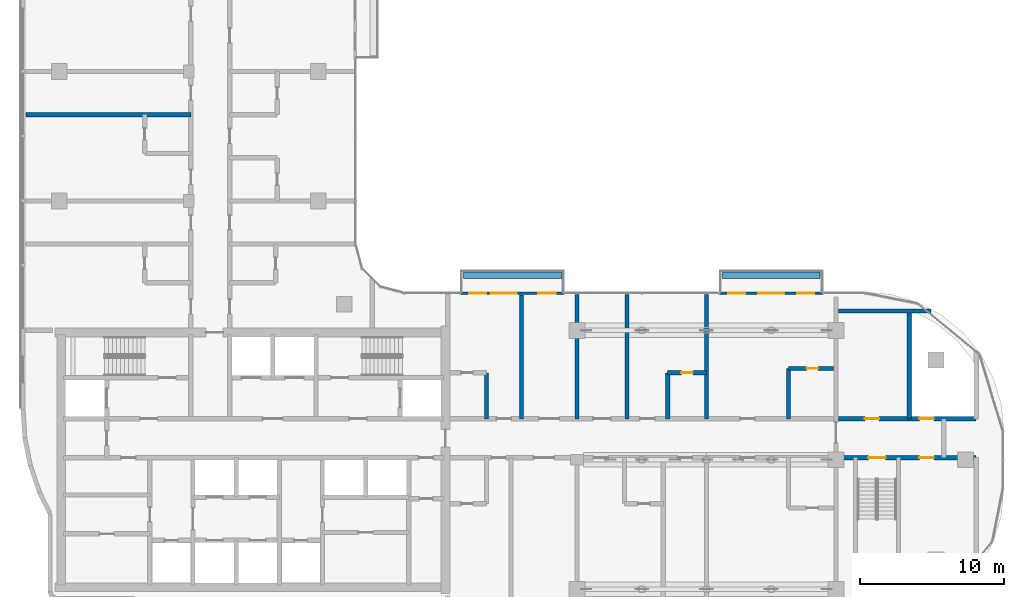
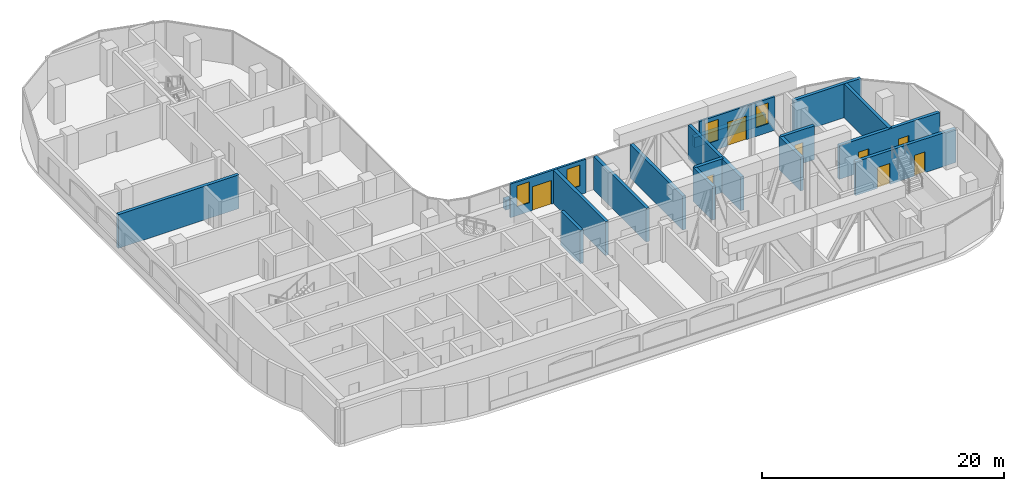
# One storey, part 12 of 25: 18 walls, 8 doors, 4 windows, 12 openings.
"""IFC4 building model written with IfcOpenShell, lengths in metres."""

from ifc_helpers import new_model, si_unit, direction, frame, frame_2d, origin, origin_2d, place, context, subcontext, project, spatial, rectangle, extrude, material, layer, layer_set, type_object, element, fill, save


model = new_model("IFC4")

# Units and contexts
model_context = context("Model", 3, precision=1e-05, world=origin(), true_north=direction((0.0, 1.0)))
body_context = subcontext(model_context, "Body", "Model", "MODEL_VIEW")
ifc_project = project(units=[si_unit("LENGTHUNIT", "METRE"), si_unit("AREAUNIT", "SQUARE_METRE"), si_unit("VOLUMEUNIT", "CUBIC_METRE"), si_unit("PLANEANGLEUNIT", "RADIAN"), si_unit("MASSUNIT", "GRAM", prefix="KILO")], contexts=[model_context])

# Site, building, storey
site_placement = place(None, origin())
site = spatial("IfcSite", under=ifc_project, at=site_placement, CompositionType="ELEMENT")
building_placement = place(site_placement, origin())
building = spatial("IfcBuilding", under=site, at=building_placement, Name="Ogive Portal Towers", CompositionType="ELEMENT")
storey_placement = place(building_placement, frame((0.0, 0.0, 182.89990234375)))
storey = spatial("IfcBuildingStorey", under=building, at=storey_placement, Name="L45", CompositionType="ELEMENT", Elevation=182.89990234375)

# Wall, openings, door, windows
ifc_material_1 = material(Name="Limestone cladding on lightweight block wall", Category="masonry")
ifc_layer_1 = layer(ifc_material_1, 0.199951171875)
ifc_layer_set_1 = layer_set([ifc_layer_1], Name="BALCONY BAY WALL 200")
wall_type_1 = type_object("IfcWallType", Name="BALCONY BAY WALL 200", PredefinedType="SOLIDWALL", material=ifc_layer_set_1)
wall_1_placement = place(storey_placement, frame((77.39990234375, 42.080078125, 0.0), z_axis=(0.0, 0.0, 1.0), x_axis=(1.0, 0.0, 0.0)))
wall_1 = element("IfcWall", 1, at=wall_1_placement, inside=storey, type_object=wall_type_1, Name="A:L45:f16:bay0", PredefinedType="SOLIDWALL", context=body_context, shape_type="SweptSolid", body=[
    extrude(rectangle(XDim=7.2001953125, YDim=0.199951171875, at=frame_2d((3.60009765625, 0.0))), origin(), (0.0, 0.0, 1.0), 3.400146484375),
])
opening_1_placement = place(wall_1_placement, frame((2.699951171875, 0.0, 0.0)))
opening_1 = element("IfcOpeningElement", 2, at=opening_1_placement, cuts=wall_1, Name="Opening DX043", PredefinedType="OPENING", context=body_context, shape_type="SweptSolid", body=[
    extrude(rectangle(XDim=1.800048828125, YDim=2.39990234375, at=frame_2d((0.89990234375, 1.199951171875))), frame((0.0, 0.10986328125, 0.0), z_axis=(0.0, -1.0, 0.0), x_axis=(1.0, 0.0, 0.0)), (0.0, 0.0, 1.0), 0.219970703125),
])
opening_2_placement = place(wall_1_placement, frame((5.39990234375, 0.0, 0.89990234375)))
opening_2 = element("IfcOpeningElement", 3, at=opening_2_placement, cuts=wall_1, Name="Opening WN2", PredefinedType="OPENING", context=body_context, shape_type="SweptSolid", body=[
    extrude(rectangle(XDim=1.199951171875, YDim=2.10009765625, at=frame_2d((0.60009765625, 1.050048828125))), frame((0.0, 0.10986328125, 0.0), z_axis=(0.0, -1.0, 0.0), x_axis=(1.0, 0.0, 0.0)), (0.0, 0.0, 1.0), 0.219970703125),
])
opening_3_placement = place(wall_1_placement, frame((0.60009765625, 0.0, 0.89990234375)))
opening_3 = element("IfcOpeningElement", 4, at=opening_3_placement, cuts=wall_1, Name="Opening WN2", PredefinedType="OPENING", context=body_context, shape_type="SweptSolid", body=[
    extrude(rectangle(XDim=1.199951171875, YDim=2.10009765625, at=frame_2d((0.60009765625, 1.050048828125))), frame((0.0, 0.10986328125, 0.0), z_axis=(0.0, -1.0, 0.0), x_axis=(1.0, 0.0, 0.0)), (0.0, 0.0, 1.0), 0.219970703125),
])
ifc_material_2 = material(Name="Aluminium 6063 anodised", Category="aluminium")
door_type_1 = type_object("IfcDoorType", Name="BALCONY DOOR 1800x2400", OperationType="DOUBLE_DOOR_SINGLE_SWING", PredefinedType="DOOR", material=ifc_material_2)
door_1_placement = place(opening_1_placement, origin())
door_1 = element("IfcDoor", 5, at=door_1_placement, inside=storey, type_object=door_type_1, Name="A:L45:f16:bay0/o0", OperationType="SINGLE_SWING_LEFT", OverallHeight=2.39990234375, OverallWidth=1.800048828125, PredefinedType="DOOR", context=body_context, shape_type="SweptSolid", body=[
    extrude(rectangle(XDim=1.800048828125, YDim=2.39990234375, at=frame_2d((0.89990234375, 1.199951171875))), frame((0.0, 0.02490234375, 0.0), z_axis=(0.0, -1.0, 0.0), x_axis=(1.0, 0.0, 0.0)), (0.0, 0.0, 1.0), 0.050048828125),
])
fill(opening_1, door_1)
ifc_material_3 = material(Name="Glass, clear low-iron insulated glazing", Category="glass")
window_type = type_object("IfcWindowType", Name="WINDOW BALCONY BAY 1200x2100", PartitioningType="SINGLE_PANEL", PredefinedType="WINDOW", material=ifc_material_3)
window_1_placement = place(opening_2_placement, origin())
window_1 = element("IfcWindow", 6, at=window_1_placement, inside=storey, type_object=window_type, Name="A:L45:f16:bay0/o1", OverallHeight=2.10009765625, OverallWidth=1.199951171875, PartitioningType="SINGLE_PANEL", PredefinedType="WINDOW", context=body_context, shape_type="SweptSolid", body=[
    extrude(rectangle(XDim=1.199951171875, YDim=2.10009765625, at=frame_2d((0.60009765625, 1.050048828125))), frame((0.0, 0.030029296875, 0.0), z_axis=(0.0, -1.0, 0.0), x_axis=(1.0, 0.0, 0.0)), (0.0, 0.0, 1.0), 0.06005859375),
])
fill(opening_2, window_1)
window_2_placement = place(opening_3_placement, origin())
window_2 = element("IfcWindow", 7, at=window_2_placement, inside=storey, type_object=window_type, Name="A:L45:f16:bay0/o2", OverallHeight=2.10009765625, OverallWidth=1.199951171875, PartitioningType="SINGLE_PANEL", PredefinedType="WINDOW", context=body_context, shape_type="SweptSolid", body=[
    extrude(rectangle(XDim=1.199951171875, YDim=2.10009765625, at=frame_2d((0.60009765625, 1.050048828125))), frame((0.0, 0.030029296875, 0.0), z_axis=(0.0, -1.0, 0.0), x_axis=(1.0, 0.0, 0.0)), (0.0, 0.0, 1.0), 0.06005859375),
])
fill(opening_3, window_2)

wall_2_placement = place(storey_placement, frame((59.39990234375, 42.080078125, 0.0), z_axis=(0.0, 0.0, 1.0), x_axis=(1.0, 0.0, 0.0)))
wall_2 = element("IfcWall", 8, at=wall_2_placement, inside=storey, type_object=wall_type_1, Name="A:L45:f16:bay1", PredefinedType="SOLIDWALL", context=body_context, shape_type="SweptSolid", body=[
    extrude(rectangle(XDim=7.2001953125, YDim=0.199951171875, at=frame_2d((3.60009765625, 0.0))), origin(), (0.0, 0.0, 1.0), 3.400146484375),
])
opening_4_placement = place(wall_2_placement, frame((2.10009765625, 0.0, 0.0)))
opening_4 = element("IfcOpeningElement", 9, at=opening_4_placement, cuts=wall_2, Name="Opening DX044", PredefinedType="OPENING", context=body_context, shape_type="SweptSolid", body=[
    extrude(rectangle(XDim=1.800048828125, YDim=2.39990234375, at=frame_2d((0.89990234375, 1.199951171875))), frame((0.0, 0.10986328125, 0.0), z_axis=(0.0, -1.0, 0.0), x_axis=(1.0, 0.0, 0.0)), (0.0, 0.0, 1.0), 0.219970703125),
])
opening_5_placement = place(wall_2_placement, frame((5.39990234375, 0.0, 0.89990234375)))
opening_5 = element("IfcOpeningElement", 10, at=opening_5_placement, cuts=wall_2, Name="Opening WN2", PredefinedType="OPENING", context=body_context, shape_type="SweptSolid", body=[
    extrude(rectangle(XDim=1.199951171875, YDim=2.10009765625, at=frame_2d((0.60009765625, 1.050048828125))), frame((0.0, 0.10986328125, 0.0), z_axis=(0.0, -1.0, 0.0), x_axis=(1.0, 0.0, 0.0)), (0.0, 0.0, 1.0), 0.219970703125),
])
opening_6_placement = place(wall_2_placement, frame((0.60009765625, 0.0, 0.89990234375)))
opening_6 = element("IfcOpeningElement", 11, at=opening_6_placement, cuts=wall_2, Name="Opening WN2", PredefinedType="OPENING", context=body_context, shape_type="SweptSolid", body=[
    extrude(rectangle(XDim=1.199951171875, YDim=2.10009765625, at=frame_2d((0.60009765625, 1.050048828125))), frame((0.0, 0.10986328125, 0.0), z_axis=(0.0, -1.0, 0.0), x_axis=(1.0, 0.0, 0.0)), (0.0, 0.0, 1.0), 0.219970703125),
])
door_2_placement = place(opening_4_placement, origin())
door_2 = element("IfcDoor", 12, at=door_2_placement, inside=storey, type_object=door_type_1, Name="A:L45:f16:bay1/o0", OperationType="SINGLE_SWING_LEFT", OverallHeight=2.39990234375, OverallWidth=1.800048828125, PredefinedType="DOOR", context=body_context, shape_type="SweptSolid", body=[
    extrude(rectangle(XDim=1.800048828125, YDim=2.39990234375, at=frame_2d((0.89990234375, 1.199951171875))), frame((0.0, 0.02490234375, 0.0), z_axis=(0.0, -1.0, 0.0), x_axis=(1.0, 0.0, 0.0)), (0.0, 0.0, 1.0), 0.050048828125),
])
fill(opening_4, door_2)
window_3_placement = place(opening_5_placement, origin())
window_3 = element("IfcWindow", 13, at=window_3_placement, inside=storey, type_object=window_type, Name="A:L45:f16:bay1/o1", OverallHeight=2.10009765625, OverallWidth=1.199951171875, PartitioningType="SINGLE_PANEL", PredefinedType="WINDOW", context=body_context, shape_type="SweptSolid", body=[
    extrude(rectangle(XDim=1.199951171875, YDim=2.10009765625, at=frame_2d((0.60009765625, 1.050048828125))), frame((0.0, 0.030029296875, 0.0), z_axis=(0.0, -1.0, 0.0), x_axis=(1.0, 0.0, 0.0)), (0.0, 0.0, 1.0), 0.06005859375),
])
fill(opening_5, window_3)
window_4_placement = place(opening_6_placement, origin())
window_4 = element("IfcWindow", 14, at=window_4_placement, inside=storey, type_object=window_type, Name="A:L45:f16:bay1/o2", OverallHeight=2.10009765625, OverallWidth=1.199951171875, PartitioningType="SINGLE_PANEL", PredefinedType="WINDOW", context=body_context, shape_type="SweptSolid", body=[
    extrude(rectangle(XDim=1.199951171875, YDim=2.10009765625, at=frame_2d((0.60009765625, 1.050048828125))), frame((0.0, 0.030029296875, 0.0), z_axis=(0.0, -1.0, 0.0), x_axis=(1.0, 0.0, 0.0)), (0.0, 0.0, 1.0), 0.06005859375),
])
fill(opening_6, window_4)

# Walls
ifc_material_4 = material(Name="Concrete C40/50", Category="concrete")
ifc_layer_2 = layer(ifc_material_4, 0.449951171875)
ifc_layer_set_2 = layer_set([ifc_layer_2], Name="PLANTER WALL 450")
wall_type_2 = type_object("IfcWallType", Name="PLANTER WALL 450", PredefinedType="SOLIDWALL", material=ifc_layer_set_2)
for number, where, z_axis, x_axis, name in (
    (15, (63.0, 43.3349609375, 0.0), (0.0, 0.0, 1.0), (1.0, 0.0, 0.0), "Planter T1"),
    (16, (81.0, 43.3349609375, 0.0), (0.0, 0.0, 1.0), (1.0, 0.0, 0.0), "Planter T3"),
):
    element("IfcWall", number, at=place(storey_placement, frame(where, z_axis=z_axis, x_axis=x_axis)), inside=storey, type_object=wall_type_2, Name=name, PredefinedType="SOLIDWALL", context=body_context, shape_type="SweptSolid", body=[
        extrude(rectangle(XDim=6.800048828125, YDim=0.449951171875, at=origin_2d()), origin(), (0.0, 0.0, 1.0), 1.0),
    ])

# Wall, openings, doors
ifc_material_5 = material(Name="Concrete C50/60", Category="concrete")
ifc_layer_3 = layer(ifc_material_5, 0.300048828125)
ifc_layer_set_3 = layer_set([ifc_layer_3], Name="STAIR WALL 300 C50")
wall_type_3 = type_object("IfcWallType", Name="STAIR WALL 300 C50", PredefinedType="SHEAR", material=ifc_layer_set_3)
wall_3_placement = place(storey_placement, frame((85.669921875, 30.64990234375, 0.0), z_axis=(0.0, 0.0, 1.0), x_axis=(1.0, 0.0, 0.0)))
wall_3 = element("IfcWall", 17, at=wall_3_placement, inside=storey, type_object=wall_type_3, Name="Stair wall ST-A4 L45", PredefinedType="SHEAR", context=body_context, shape_type="SweptSolid", body=[
    extrude(rectangle(XDim=9.580078125, YDim=0.300048828125, at=frame_2d((4.7900390625, 0.0))), origin(), (0.0, 0.0, 1.0), 3.400146484375),
])
opening_7_placement = place(wall_3_placement, frame((2.080078125, 0.0, 0.0)))
opening_7 = element("IfcOpeningElement", 18, at=opening_7_placement, cuts=wall_3, Name="Opening D20-061", PredefinedType="OPENING", context=body_context, shape_type="SweptSolid", body=[
    extrude(rectangle(XDim=1.199951171875, YDim=2.10009765625, at=frame_2d((0.60009765625, 1.050048828125))), frame((0.0, 0.16015625, 0.0), z_axis=(0.0, -1.0, 0.0), x_axis=(1.0, 0.0, 0.0)), (0.0, 0.0, 1.0), 0.320068359375),
])
opening_8_placement = place(wall_3_placement, frame((5.6298828125, 0.0, 0.0)))
opening_8 = element("IfcOpeningElement", 19, at=opening_8_placement, cuts=wall_3, Name="Opening D20-064", PredefinedType="OPENING", context=body_context, shape_type="SweptSolid", body=[
    extrude(rectangle(XDim=1.0, YDim=2.10009765625, at=frame_2d((0.5, 1.050048828125))), frame((0.0, 0.16015625, 0.0), z_axis=(0.0, -1.0, 0.0), x_axis=(1.0, 0.0, 0.0)), (0.0, 0.0, 1.0), 0.320068359375),
])
ifc_material_6 = material(Name="Steel fire door", Category="steel")
door_type_2 = type_object("IfcDoorType", Name="DT-SERVICE-1000x2100-FD90S", OperationType="SINGLE_SWING_LEFT", PredefinedType="DOOR", material=ifc_material_6)
door_3_placement = place(opening_8_placement, origin())
door_3 = element("IfcDoor", 20, at=door_3_placement, inside=storey, type_object=door_type_2, Name="Door D20-064", OperationType="SINGLE_SWING_LEFT", OverallHeight=2.10009765625, OverallWidth=1.0, PredefinedType="DOOR", context=body_context, shape_type="SweptSolid", body=[
    extrude(rectangle(XDim=1.0, YDim=2.10009765625, at=frame_2d((0.5, 1.050048828125))), frame((0.0, 0.02490234375, 0.0), z_axis=(0.0, -1.0, 0.0), x_axis=(1.0, 0.0, 0.0)), (0.0, 0.0, 1.0), 0.050048828125),
])
fill(opening_8, door_3)
door_type_3 = type_object("IfcDoorType", Name="DT-STAIR-1200x2100-FD90S", OperationType="SINGLE_SWING_LEFT", PredefinedType="DOOR", material=ifc_material_6)
door_4_placement = place(opening_7_placement, origin())
door_4 = element("IfcDoor", 21, at=door_4_placement, inside=storey, type_object=door_type_3, Name="Door D20-061", OperationType="SINGLE_SWING_LEFT", OverallHeight=2.10009765625, OverallWidth=1.199951171875, PredefinedType="DOOR", context=body_context, shape_type="SweptSolid", body=[
    extrude(rectangle(XDim=1.199951171875, YDim=2.10009765625, at=frame_2d((0.60009765625, 1.050048828125))), frame((0.0, 0.02490234375, 0.0), z_axis=(0.0, -1.0, 0.0), x_axis=(1.0, 0.0, 0.0)), (0.0, 0.0, 1.0), 0.050048828125),
])
fill(opening_7, door_4)

ifc_material_7 = material(Name="Gypsum board partition on steel studs", Category="steel")
ifc_layer_4 = layer(ifc_material_7, 0.300048828125)
ifc_layer_set_4 = layer_set([ifc_layer_4], Name="WT-PART-300-EI 120")
wall_type_4 = type_object("IfcWallType", Name="WT-PART-300-EI 120", PredefinedType="PARTITIONING", material=ifc_layer_set_4)
wall_4_placement = place(storey_placement, frame((85.669921875, 33.35009765625, 0.0), z_axis=(0.0, 0.0, 1.0), x_axis=(1.0, 0.0, 0.0)))
wall_4 = element("IfcWall", 22, at=wall_4_placement, inside=storey, type_object=wall_type_4, Name="Wall L45:w008", PredefinedType="PARTITIONING", context=body_context, shape_type="SweptSolid", body=[
    extrude(rectangle(XDim=9.580078125, YDim=0.300048828125, at=frame_2d((4.7900390625, 0.0))), origin(), (0.0, 0.0, 1.0), 3.400146484375),
])
opening_9_placement = place(wall_4_placement, frame((1.830078125, 0.0, 0.0)))
opening_9 = element("IfcOpeningElement", 23, at=opening_9_placement, cuts=wall_4, Name="Opening D20-062", PredefinedType="OPENING", context=body_context, shape_type="SweptSolid", body=[
    extrude(rectangle(XDim=1.0, YDim=2.10009765625, at=frame_2d((0.5, 1.050048828125))), frame((0.0, 0.16015625, 0.0), z_axis=(0.0, -1.0, 0.0), x_axis=(1.0, 0.0, 0.0)), (0.0, 0.0, 1.0), 0.320068359375),
])
opening_10_placement = place(wall_4_placement, frame((5.6298828125, 0.0, 0.0)))
opening_10 = element("IfcOpeningElement", 24, at=opening_10_placement, cuts=wall_4, Name="Opening D20-063", PredefinedType="OPENING", context=body_context, shape_type="SweptSolid", body=[
    extrude(rectangle(XDim=1.0, YDim=2.10009765625, at=frame_2d((0.5, 1.050048828125))), frame((0.0, 0.16015625, 0.0), z_axis=(0.0, -1.0, 0.0), x_axis=(1.0, 0.0, 0.0)), (0.0, 0.0, 1.0), 0.320068359375),
])
door_5_placement = place(opening_9_placement, origin())
door_5 = element("IfcDoor", 25, at=door_5_placement, inside=storey, type_object=door_type_2, Name="Door D20-062", OperationType="SINGLE_SWING_LEFT", OverallHeight=2.10009765625, OverallWidth=1.0, PredefinedType="DOOR", context=body_context, shape_type="SweptSolid", body=[
    extrude(rectangle(XDim=1.0, YDim=2.10009765625, at=frame_2d((0.5, 1.050048828125))), frame((0.0, 0.02490234375, 0.0), z_axis=(0.0, -1.0, 0.0), x_axis=(1.0, 0.0, 0.0)), (0.0, 0.0, 1.0), 0.050048828125),
])
fill(opening_9, door_5)
door_6_placement = place(opening_10_placement, origin())
door_6 = element("IfcDoor", 26, at=door_6_placement, inside=storey, type_object=door_type_2, Name="Riser access door D20-063", OperationType="SINGLE_SWING_RIGHT", OverallHeight=2.10009765625, OverallWidth=1.0, PredefinedType="DOOR", context=body_context, shape_type="SweptSolid", body=[
    extrude(rectangle(XDim=1.0, YDim=2.10009765625, at=frame_2d((0.5, 1.050048828125))), frame((0.0, 0.02490234375, 0.0), z_axis=(0.0, -1.0, 0.0), x_axis=(1.0, 0.0, 0.0)), (0.0, 0.0, 1.0), 0.050048828125),
])
fill(opening_10, door_6)

# Wall, opening, door
ifc_layer_5 = layer(ifc_material_7, 0.300048828125)
ifc_layer_set_5 = layer_set([ifc_layer_5], Name="WT-PART-300-EI 60")
wall_type_5 = type_object("IfcWallType", Name="WT-PART-300-EI 60", PredefinedType="PARTITIONING", material=ifc_layer_set_5)
wall_5_placement = place(storey_placement, frame((73.800048828125, 36.550048828125, 0.0), z_axis=(0.0, 0.0, 1.0), x_axis=(1.0, 0.0, 0.0)))
wall_5 = element("IfcWall", 27, at=wall_5_placement, inside=storey, type_object=wall_type_5, Name="Wall L45:w010", PredefinedType="PARTITIONING", context=body_context, shape_type="SweptSolid", body=[
    extrude(rectangle(XDim=2.699951171875, YDim=0.300048828125, at=frame_2d((1.35009765625, 0.0))), origin(), (0.0, 0.0, 1.0), 3.400146484375),
])
opening_11_placement = place(wall_5_placement, frame((0.949951171875, 0.0, 0.0)))
opening_11 = element("IfcOpeningElement", 28, at=opening_11_placement, cuts=wall_5, Name="Opening D20-034", PredefinedType="OPENING", context=body_context, shape_type="SweptSolid", body=[
    extrude(rectangle(XDim=0.800048828125, YDim=2.10009765625, at=frame_2d((0.39990234375, 1.050048828125))), frame((0.0, 0.16015625, 0.0), z_axis=(0.0, -1.0, 0.0), x_axis=(1.0, 0.0, 0.0)), (0.0, 0.0, 1.0), 0.320068359375),
])
door_type_4 = type_object("IfcDoorType", Name="DT-BATH-800x2100-FD60S", OperationType="SINGLE_SWING_LEFT", PredefinedType="DOOR", material=ifc_material_6)
door_7_placement = place(opening_11_placement, origin())
door_7 = element("IfcDoor", 29, at=door_7_placement, inside=storey, type_object=door_type_4, Name="Door D20-034", OperationType="SINGLE_SWING_RIGHT", OverallHeight=2.10009765625, OverallWidth=0.800048828125, PredefinedType="DOOR", context=body_context, shape_type="SweptSolid", body=[
    extrude(rectangle(XDim=0.800048828125, YDim=2.10009765625, at=frame_2d((0.39990234375, 1.050048828125))), frame((0.0, 0.02490234375, 0.0), z_axis=(0.0, -1.0, 0.0), x_axis=(1.0, 0.0, 0.0)), (0.0, 0.0, 1.0), 0.050048828125),
])
fill(opening_11, door_7)

wall_6_placement = place(storey_placement, frame((82.199951171875, 36.85009765625, 0.0), z_axis=(0.0, 0.0, 1.0), x_axis=(1.0, 0.0, 0.0)))
wall_6 = element("IfcWall", 30, at=wall_6_placement, inside=storey, type_object=wall_type_5, Name="Wall L45:w011", PredefinedType="PARTITIONING", context=body_context, shape_type="SweptSolid", body=[
    extrude(rectangle(XDim=3.130126953125, YDim=0.300048828125, at=frame_2d((1.56494140625, 0.0))), origin(), (0.0, 0.0, 1.0), 3.400146484375),
])
opening_12_placement = place(wall_6_placement, frame((1.25, 0.0, 0.0)))
opening_12 = element("IfcOpeningElement", 31, at=opening_12_placement, cuts=wall_6, Name="Opening D20-039", PredefinedType="OPENING", context=body_context, shape_type="SweptSolid", body=[
    extrude(rectangle(XDim=0.800048828125, YDim=2.10009765625, at=frame_2d((0.39990234375, 1.050048828125))), frame((0.0, 0.16015625, 0.0), z_axis=(0.0, -1.0, 0.0), x_axis=(1.0, 0.0, 0.0)), (0.0, 0.0, 1.0), 0.320068359375),
])
door_8_placement = place(opening_12_placement, origin())
door_8 = element("IfcDoor", 32, at=door_8_placement, inside=storey, type_object=door_type_4, Name="Door D20-039", OperationType="SINGLE_SWING_LEFT", OverallHeight=2.10009765625, OverallWidth=0.800048828125, PredefinedType="DOOR", context=body_context, shape_type="SweptSolid", body=[
    extrude(rectangle(XDim=0.800048828125, YDim=2.10009765625, at=frame_2d((0.39990234375, 1.050048828125))), frame((0.0, 0.02490234375, 0.0), z_axis=(0.0, -1.0, 0.0), x_axis=(1.0, 0.0, 0.0)), (0.0, 0.0, 1.0), 0.050048828125),
])
fill(opening_12, door_8)

# Walls
wall_7_placement = place(storey_placement, frame((85.669921875, 40.85009765625, 0.0), z_axis=(0.0, 0.0, 1.0), x_axis=(1.0, 0.0, 0.0)))
element("IfcWall", 33, at=wall_7_placement, inside=storey, type_object=wall_type_5, Name="Wall L45:w013", PredefinedType="PARTITIONING", context=body_context, shape_type="SweptSolid", body=[
    extrude(rectangle(XDim=6.422119140625, YDim=0.300048828125, at=frame_2d((3.2109375, 0.0))), origin(), (0.0, 0.0, 1.0), 3.400146484375),
])
wall_8_placement = place(storey_placement, frame((29.169921875, 54.5, 0.0), z_axis=(0.0, 0.0, 1.0), x_axis=(1.0, 0.0, 0.0)))
element("IfcWall", 34, at=wall_8_placement, inside=storey, type_object=wall_type_5, Name="Wall L45:w022", PredefinedType="PARTITIONING", context=body_context, shape_type="SweptSolid", body=[
    extrude(rectangle(XDim=11.47998046875, YDim=0.300048828125, at=frame_2d((5.739990234375, 0.0))), origin(), (0.0, 0.0, 1.0), 3.400146484375),
])
wall_9_placement = place(storey_placement, frame((61.199951171875, 33.35009765625, 0.0), z_axis=(0.0, 0.0, 1.0), x_axis=(0.0, 1.0, 0.0)))
element("IfcWall", 35, at=wall_9_placement, inside=storey, type_object=wall_type_5, Name="Wall L45:w050", PredefinedType="PARTITIONING", context=body_context, shape_type="SweptSolid", body=[
    extrude(rectangle(XDim=3.199951171875, YDim=0.300048828125, at=frame_2d((1.60009765625, 0.0))), origin(), (0.0, 0.0, 1.0), 3.400146484375),
])
wall_10_placement = place(storey_placement, frame((63.6298828125, 33.35009765625, 0.0), z_axis=(0.0, 0.0, 1.0), x_axis=(0.0, 1.0, 0.0)))
element("IfcWall", 36, at=wall_10_placement, inside=storey, type_object=wall_type_5, Name="Wall L45:w052", PredefinedType="PARTITIONING", context=body_context, shape_type="SweptSolid", body=[
    extrude(rectangle(XDim=8.619873046875, YDim=0.300048828125, at=frame_2d((4.31005859375, 0.0))), origin(), (0.0, 0.0, 1.0), 3.400146484375),
])
for number, where, z_axis, x_axis, name in (
    (37, (67.5, 33.35009765625, 0.0), (0.0, 0.0, 1.0), (0.0, 1.0, 0.0), "Wall L45:w054"),
    (38, (70.969970703125, 33.35009765625, 0.0), (0.0, 0.0, 1.0), (0.0, 1.0, 0.0), "Wall L45:w056"),
):
    element("IfcWall", number, at=place(storey_placement, frame(where, z_axis=z_axis, x_axis=x_axis)), inside=storey, type_object=wall_type_5, Name=name, PredefinedType="PARTITIONING", context=body_context, shape_type="SweptSolid", body=[
        extrude(rectangle(XDim=8.659912109375, YDim=0.300048828125, at=frame_2d((4.330078125, 0.0))), origin(), (0.0, 0.0, 1.0), 3.400146484375),
    ])
wall_11_placement = place(storey_placement, frame((73.800048828125, 33.35009765625, 0.0), z_axis=(0.0, 0.0, 1.0), x_axis=(0.0, 1.0, 0.0)))
element("IfcWall", 39, at=wall_11_placement, inside=storey, type_object=wall_type_5, Name="Wall L45:w058", PredefinedType="PARTITIONING", context=body_context, shape_type="SweptSolid", body=[
    extrude(rectangle(XDim=3.199951171875, YDim=0.300048828125, at=frame_2d((1.60009765625, 0.0))), origin(), (0.0, 0.0, 1.0), 3.400146484375),
])
wall_12_placement = place(storey_placement, frame((76.5, 33.35009765625, 0.0), z_axis=(0.0, 0.0, 1.0), x_axis=(0.0, 1.0, 0.0)))
element("IfcWall", 40, at=wall_12_placement, inside=storey, type_object=wall_type_5, Name="Wall L45:w060", PredefinedType="PARTITIONING", context=body_context, shape_type="SweptSolid", body=[
    extrude(rectangle(XDim=8.659912109375, YDim=0.300048828125, at=frame_2d((4.330078125, 0.0))), origin(), (0.0, 0.0, 1.0), 3.400146484375),
])
wall_13_placement = place(storey_placement, frame((82.199951171875, 33.35009765625, 0.0), z_axis=(0.0, 0.0, 1.0), x_axis=(0.0, 1.0, 0.0)))
element("IfcWall", 41, at=wall_13_placement, inside=storey, type_object=wall_type_5, Name="Wall L45:w062", PredefinedType="PARTITIONING", context=body_context, shape_type="SweptSolid", body=[
    extrude(rectangle(XDim=3.5, YDim=0.300048828125, at=frame_2d((1.75, 0.0))), origin(), (0.0, 0.0, 1.0), 3.400146484375),
])
wall_14_placement = place(storey_placement, frame((90.60009765625, 33.35009765625, 0.0), z_axis=(0.0, 0.0, 1.0), x_axis=(0.0, 1.0, 0.0)))
element("IfcWall", 42, at=wall_14_placement, inside=storey, type_object=wall_type_5, Name="Wall L45:w065", PredefinedType="PARTITIONING", context=body_context, shape_type="SweptSolid", body=[
    extrude(rectangle(XDim=7.5, YDim=0.300048828125, at=frame_2d((3.75, 0.0))), origin(), (0.0, 0.0, 1.0), 3.400146484375),
])

save(model, "model.ifc")
